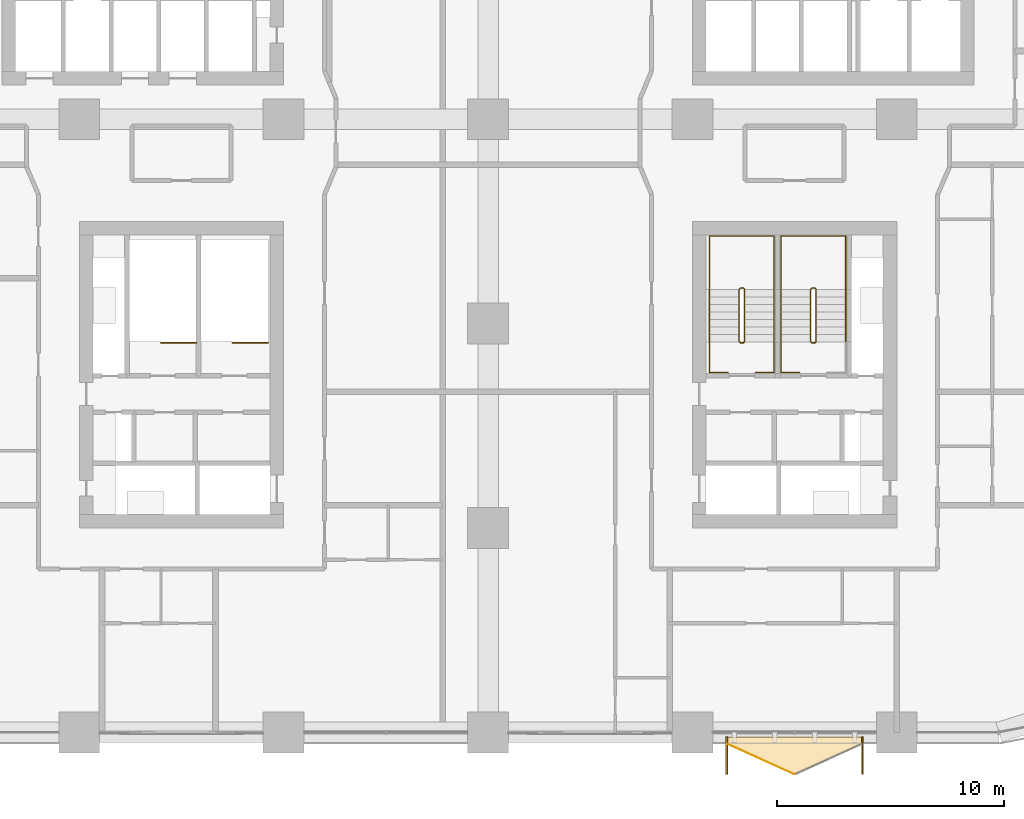
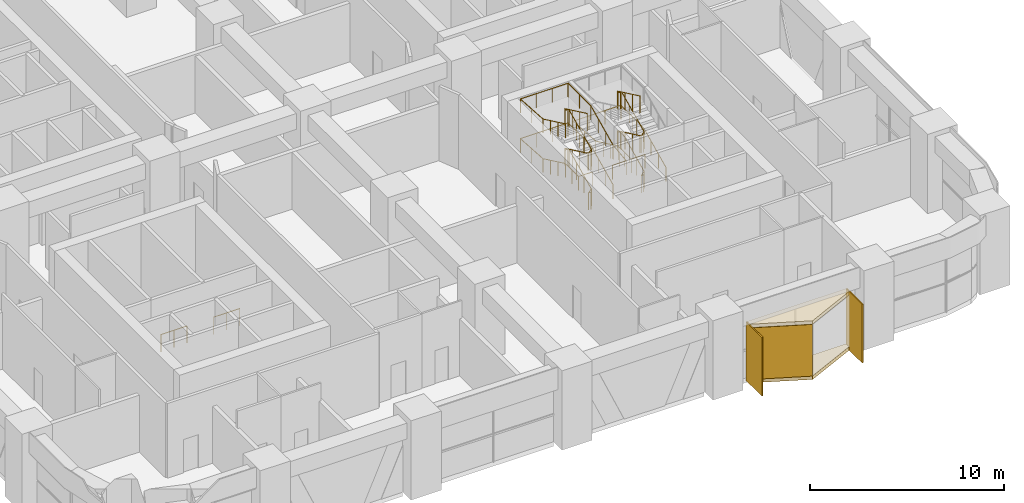
# One storey, part 23 of 26: 7 railings, 5 coverings.
"""IFC4 building model written with IfcOpenShell, lengths in metres."""

from ifc_helpers import new_model, si_unit, direction, frame, origin, origin_2d, place, context, subcontext, project, spatial, polyline, rectangle, circle, outline, extrude, material, layer, layer_set, type_object, element, save


model = new_model("IFC4")

# Units and contexts
model_context = context("Model", 3, precision=1e-05, world=origin(), true_north=direction((0.0, 1.0)))
body_context = subcontext(model_context, "Body", "Model", "MODEL_VIEW")
ifc_project = project(units=[si_unit("LENGTHUNIT", "METRE"), si_unit("AREAUNIT", "SQUARE_METRE"), si_unit("VOLUMEUNIT", "CUBIC_METRE"), si_unit("PLANEANGLEUNIT", "RADIAN"), si_unit("MASSUNIT", "GRAM", prefix="KILO")], contexts=[model_context])

# Site, building, storey
site_placement = place(None, origin())
site = spatial("IfcSite", under=ifc_project, at=site_placement, CompositionType="ELEMENT")
building_placement = place(site_placement, origin())
building = spatial("IfcBuilding", under=site, at=building_placement, Name="Tessera Arch", CompositionType="ELEMENT")
storey_placement = place(building_placement, frame((0.0, 0.0, 72.800048828125)))
storey = spatial("IfcBuildingStorey", under=building, at=storey_placement, Name="L16", CompositionType="ELEMENT", Elevation=72.800048828125)

# Railings
ifc_material_1 = material(Name="Painted steel balustrade", Category="steel")
railing_type_1 = type_object("IfcRailingType", Name="Stair guard 1100", PredefinedType="GUARDRAIL", material=ifc_material_1)
railing_1_placement = place(storey_placement, frame((38.25, 17.14990234375, 0.0)))
element("IfcRailing", 1, at=railing_1_placement, inside=storey, type_object=railing_type_1, Name="L16 S3a stair guard 1", PredefinedType="GUARDRAIL", context=body_context, shape_type="SweptSolid", body=[
    extrude(circle(Radius=0.02392578125, at=origin_2d()), frame((0.00390625, 0.0, 1.076171875), z_axis=(-1.0, 0.0, 0.0), x_axis=(0.0, -1.0, 0.0)), (0.0, 0.0, 1.0), 0.157958984375),
    extrude(circle(Radius=0.02392578125, at=origin_2d()), frame((-0.153076171875, -0.000732421875, 1.07373046875), z_axis=(0.77305925043, 0.19350078918, 0.604100024756), x_axis=(-0.242814311512, 0.970072785993, 0.0)), (0.0, 0.0, 1.0), 0.2666015625),
    extrude(circle(Radius=0.02392578125, at=origin_2d()), frame((0.050048828125, 0.04638671875, 1.23046875), z_axis=(0.0, 0.903811734687, 0.427930307694), x_axis=(-1.0, 0.0, 0.0)), (0.0, 0.0, 1.0), 2.56396484375),
    extrude(circle(Radius=0.02392578125, at=origin_2d()), frame((0.052978515625, 2.357177734375, 2.326171875), z_axis=(-0.707106781187, 0.707106781187, 0.0), x_axis=(-0.707106781187, -0.707106781187, 0.0)), (0.0, 0.0, 1.0), 0.078857421875),
    extrude(circle(Radius=0.02392578125, at=origin_2d()), frame((0.00390625, 2.41015625, 2.326171875), z_axis=(-1.0, 0.0, 0.0), x_axis=(0.0, -1.0, 0.0)), (0.0, 0.0, 1.0), 0.157958984375),
    extrude(circle(Radius=0.02392578125, at=origin_2d()), frame((-0.148681640625, 2.411376953125, 2.322509765625), z_axis=(-0.29177245553, -0.29177245553, 0.91089937336), x_axis=(0.707106781187, -0.707106781187, 0.0)), (0.0, 0.0, 1.0), 0.179443359375),
    extrude(circle(Radius=0.02392578125, at=origin_2d()), frame((-0.199951171875, 2.36376953125, 2.48046875), z_axis=(0.0, -0.903811734687, 0.427930307694), x_axis=(1.0, 0.0, 0.0)), (0.0, 0.0, 1.0), 2.56396484375),
    extrude(circle(Radius=0.02392578125, at=origin_2d()), frame((-0.203857421875, 0.051025390625, 3.576171875), z_axis=(0.970072785993, -0.242814311512, 0.0), x_axis=(0.242814311512, 0.970072785993, 0.0)), (0.0, 0.0, 1.0), 0.214111328125),
    extrude(circle(Radius=0.02392578125, at=origin_2d()), frame((0.00390625, 0.0, 3.576171875), z_axis=(-1.0, 0.0, 0.0), x_axis=(0.0, -1.0, 0.0)), (0.0, 0.0, 1.0), 0.157958984375),
    extrude(circle(Radius=0.02392578125, at=origin_2d()), frame((-0.153076171875, -0.000732421875, 3.57373046875), z_axis=(0.77305925043, 0.19350078918, 0.604100024756), x_axis=(-0.242814311512, 0.970072785993, 0.0)), (0.0, 0.0, 1.0), 0.2666015625),
    extrude(circle(Radius=0.02392578125, at=origin_2d()), frame((0.050048828125, 0.04638671875, 3.73046875), z_axis=(0.0, 0.903811734687, 0.427930307694), x_axis=(-1.0, 0.0, 0.0)), (0.0, 0.0, 1.0), 2.56396484375),
    extrude(circle(Radius=0.02392578125, at=origin_2d()), frame((0.052978515625, 2.357177734375, 4.826171875), z_axis=(-0.707106781187, 0.707106781187, 0.0), x_axis=(-0.707106781187, -0.707106781187, 0.0)), (0.0, 0.0, 1.0), 0.078857421875),
    extrude(circle(Radius=0.02392578125, at=origin_2d()), frame((0.00390625, 2.41015625, 4.826171875), z_axis=(-1.0, 0.0, 0.0), x_axis=(0.0, -1.0, 0.0)), (0.0, 0.0, 1.0), 0.157958984375),
    extrude(circle(Radius=0.02392578125, at=origin_2d()), frame((-0.148681640625, 2.411376953125, 4.822509765625), z_axis=(-0.29177245553, -0.29177245553, 0.91089937336), x_axis=(0.707106781187, -0.707106781187, 0.0)), (0.0, 0.0, 1.0), 0.179443359375),
    extrude(circle(Radius=0.02392578125, at=origin_2d()), frame((-0.199951171875, 2.36376953125, 4.98046875), z_axis=(0.0, -0.903811734687, 0.427930307694), x_axis=(1.0, 0.0, 0.0)), (0.0, 0.0, 1.0), 2.56396484375),
    extrude(circle(Radius=0.02099609375, at=origin_2d()), origin(), (0.0, 0.0, 1.0), 1.06396484375),
    extrude(circle(Radius=0.02099609375, at=origin_2d()), frame((-0.14990234375, 0.0, 0.0)), (0.0, 0.0, 1.0), 1.06396484375),
    extrude(circle(Radius=0.02099609375, at=origin_2d()), frame((0.050048828125, 0.050048828125, 0.15625)), (0.0, 0.0, 1.0), 1.06396484375),
    extrude(circle(Radius=0.02099609375, at=origin_2d()), frame((0.050048828125, 0.820068359375, 0.520751953125)), (0.0, 0.0, 1.0), 1.06396484375),
    extrude(circle(Radius=0.02099609375, at=origin_2d()), frame((0.050048828125, 1.590087890625, 0.885498046875)), (0.0, 0.0, 1.0), 1.06396484375),
    extrude(circle(Radius=0.02099609375, at=origin_2d()), frame((0.050048828125, 2.360107421875, 1.25)), (0.0, 0.0, 1.0), 1.06396484375),
    extrude(circle(Radius=0.02099609375, at=origin_2d()), frame((0.0, 2.41015625, 1.25)), (0.0, 0.0, 1.0), 1.06396484375),
    extrude(circle(Radius=0.02099609375, at=origin_2d()), frame((-0.14990234375, 2.41015625, 1.25)), (0.0, 0.0, 1.0), 1.06396484375),
    extrude(circle(Radius=0.02099609375, at=origin_2d()), frame((-0.199951171875, 2.360107421875, 1.40625)), (0.0, 0.0, 1.0), 1.06396484375),
    extrude(circle(Radius=0.02099609375, at=origin_2d()), frame((-0.199951171875, 1.590087890625, 1.770751953125)), (0.0, 0.0, 1.0), 1.06396484375),
    extrude(circle(Radius=0.02099609375, at=origin_2d()), frame((-0.199951171875, 0.820068359375, 2.135498046875)), (0.0, 0.0, 1.0), 1.06396484375),
    extrude(circle(Radius=0.02099609375, at=origin_2d()), frame((-0.199951171875, 0.050048828125, 2.5)), (0.0, 0.0, 1.0), 1.06396484375),
    extrude(circle(Radius=0.02099609375, at=origin_2d()), frame((0.0, 0.0, 2.5)), (0.0, 0.0, 1.0), 1.06396484375),
    extrude(circle(Radius=0.02099609375, at=origin_2d()), frame((-0.14990234375, 0.0, 2.5)), (0.0, 0.0, 1.0), 1.06396484375),
    extrude(circle(Radius=0.02099609375, at=origin_2d()), frame((0.050048828125, 0.050048828125, 2.65625)), (0.0, 0.0, 1.0), 1.06396484375),
    extrude(circle(Radius=0.02099609375, at=origin_2d()), frame((0.050048828125, 0.820068359375, 3.020751953125)), (0.0, 0.0, 1.0), 1.06396484375),
    extrude(circle(Radius=0.02099609375, at=origin_2d()), frame((0.050048828125, 1.590087890625, 3.385498046875)), (0.0, 0.0, 1.0), 1.06396484375),
    extrude(circle(Radius=0.02099609375, at=origin_2d()), frame((0.050048828125, 2.360107421875, 3.75)), (0.0, 0.0, 1.0), 1.06396484375),
    extrude(circle(Radius=0.02099609375, at=origin_2d()), frame((0.0, 2.41015625, 3.75)), (0.0, 0.0, 1.0), 1.06396484375),
    extrude(circle(Radius=0.02099609375, at=origin_2d()), frame((-0.14990234375, 2.41015625, 3.75)), (0.0, 0.0, 1.0), 1.06396484375),
    extrude(circle(Radius=0.02099609375, at=origin_2d()), frame((-0.199951171875, 2.360107421875, 3.90625)), (0.0, 0.0, 1.0), 1.06396484375),
    extrude(circle(Radius=0.02099609375, at=origin_2d()), frame((-0.199951171875, 1.590087890625, 4.270751953125)), (0.0, 0.0, 1.0), 1.06396484375),
    extrude(circle(Radius=0.02099609375, at=origin_2d()), frame((-0.199951171875, 0.820068359375, 4.635498046875)), (0.0, 0.0, 1.0), 1.06396484375),
    extrude(circle(Radius=0.02099609375, at=origin_2d()), frame((-0.199951171875, 0.050048828125, 5.0)), (0.0, 0.0, 1.0), 1.06396484375),
])
railing_2_placement = place(storey_placement, frame((41.39990234375, 17.14990234375, 0.0)))
element("IfcRailing", 2, at=railing_2_placement, inside=storey, type_object=railing_type_1, Name="L16 S3b stair guard 1", PredefinedType="GUARDRAIL", context=body_context, shape_type="SweptSolid", body=[
    extrude(circle(Radius=0.02392578125, at=origin_2d()), frame((0.00390625, 0.0, 1.076171875), z_axis=(-1.0, 0.0, 0.0), x_axis=(0.0, -1.0, 0.0)), (0.0, 0.0, 1.0), 0.157958984375),
    extrude(circle(Radius=0.02392578125, at=origin_2d()), frame((-0.153076171875, -0.000732421875, 1.07373046875), z_axis=(0.77305925043, 0.19350078918, 0.604100024756), x_axis=(-0.242814311512, 0.970072785993, 0.0)), (0.0, 0.0, 1.0), 0.2666015625),
    extrude(circle(Radius=0.02392578125, at=origin_2d()), frame((0.050048828125, 0.04638671875, 1.23046875), z_axis=(0.0, 0.903811734687, 0.427930307694), x_axis=(-1.0, 0.0, 0.0)), (0.0, 0.0, 1.0), 2.56396484375),
    extrude(circle(Radius=0.02392578125, at=origin_2d()), frame((0.052978515625, 2.357177734375, 2.326171875), z_axis=(-0.707106781187, 0.707106781187, 0.0), x_axis=(-0.707106781187, -0.707106781187, 0.0)), (0.0, 0.0, 1.0), 0.078857421875),
    extrude(circle(Radius=0.02392578125, at=origin_2d()), frame((0.00390625, 2.41015625, 2.326171875), z_axis=(-1.0, 0.0, 0.0), x_axis=(0.0, -1.0, 0.0)), (0.0, 0.0, 1.0), 0.157958984375),
    extrude(circle(Radius=0.02392578125, at=origin_2d()), frame((-0.148681640625, 2.411376953125, 2.322509765625), z_axis=(-0.29177245553, -0.29177245553, 0.91089937336), x_axis=(0.707106781187, -0.707106781187, 0.0)), (0.0, 0.0, 1.0), 0.179443359375),
    extrude(circle(Radius=0.02392578125, at=origin_2d()), frame((-0.199951171875, 2.36376953125, 2.48046875), z_axis=(0.0, -0.903811734687, 0.427930307694), x_axis=(1.0, 0.0, 0.0)), (0.0, 0.0, 1.0), 2.56396484375),
    extrude(circle(Radius=0.02392578125, at=origin_2d()), frame((-0.203857421875, 0.051025390625, 3.576171875), z_axis=(0.970072785993, -0.242814311512, 0.0), x_axis=(0.242814311512, 0.970072785993, 0.0)), (0.0, 0.0, 1.0), 0.214111328125),
    extrude(circle(Radius=0.02392578125, at=origin_2d()), frame((0.00390625, 0.0, 3.576171875), z_axis=(-1.0, 0.0, 0.0), x_axis=(0.0, -1.0, 0.0)), (0.0, 0.0, 1.0), 0.157958984375),
    extrude(circle(Radius=0.02392578125, at=origin_2d()), frame((-0.153076171875, -0.000732421875, 3.57373046875), z_axis=(0.77305925043, 0.19350078918, 0.604100024756), x_axis=(-0.242814311512, 0.970072785993, 0.0)), (0.0, 0.0, 1.0), 0.2666015625),
    extrude(circle(Radius=0.02392578125, at=origin_2d()), frame((0.050048828125, 0.04638671875, 3.73046875), z_axis=(0.0, 0.903811734687, 0.427930307694), x_axis=(-1.0, 0.0, 0.0)), (0.0, 0.0, 1.0), 2.56396484375),
    extrude(circle(Radius=0.02392578125, at=origin_2d()), frame((0.052978515625, 2.357177734375, 4.826171875), z_axis=(-0.707106781187, 0.707106781187, 0.0), x_axis=(-0.707106781187, -0.707106781187, 0.0)), (0.0, 0.0, 1.0), 0.078857421875),
    extrude(circle(Radius=0.02392578125, at=origin_2d()), frame((0.00390625, 2.41015625, 4.826171875), z_axis=(-1.0, 0.0, 0.0), x_axis=(0.0, -1.0, 0.0)), (0.0, 0.0, 1.0), 0.157958984375),
    extrude(circle(Radius=0.02392578125, at=origin_2d()), frame((-0.148681640625, 2.411376953125, 4.822509765625), z_axis=(-0.29177245553, -0.29177245553, 0.91089937336), x_axis=(0.707106781187, -0.707106781187, 0.0)), (0.0, 0.0, 1.0), 0.179443359375),
    extrude(circle(Radius=0.02392578125, at=origin_2d()), frame((-0.199951171875, 2.36376953125, 4.98046875), z_axis=(0.0, -0.903811734687, 0.427930307694), x_axis=(1.0, 0.0, 0.0)), (0.0, 0.0, 1.0), 2.56396484375),
    extrude(circle(Radius=0.02099609375, at=origin_2d()), origin(), (0.0, 0.0, 1.0), 1.06396484375),
    extrude(circle(Radius=0.02099609375, at=origin_2d()), frame((-0.14990234375, 0.0, 0.0)), (0.0, 0.0, 1.0), 1.06396484375),
    extrude(circle(Radius=0.02099609375, at=origin_2d()), frame((0.050048828125, 0.050048828125, 0.15625)), (0.0, 0.0, 1.0), 1.06396484375),
    extrude(circle(Radius=0.02099609375, at=origin_2d()), frame((0.050048828125, 0.820068359375, 0.520751953125)), (0.0, 0.0, 1.0), 1.06396484375),
    extrude(circle(Radius=0.02099609375, at=origin_2d()), frame((0.050048828125, 1.590087890625, 0.885498046875)), (0.0, 0.0, 1.0), 1.06396484375),
    extrude(circle(Radius=0.02099609375, at=origin_2d()), frame((0.050048828125, 2.360107421875, 1.25)), (0.0, 0.0, 1.0), 1.06396484375),
    extrude(circle(Radius=0.02099609375, at=origin_2d()), frame((0.0, 2.41015625, 1.25)), (0.0, 0.0, 1.0), 1.06396484375),
    extrude(circle(Radius=0.02099609375, at=origin_2d()), frame((-0.14990234375, 2.41015625, 1.25)), (0.0, 0.0, 1.0), 1.06396484375),
    extrude(circle(Radius=0.02099609375, at=origin_2d()), frame((-0.199951171875, 2.360107421875, 1.40625)), (0.0, 0.0, 1.0), 1.06396484375),
    extrude(circle(Radius=0.02099609375, at=origin_2d()), frame((-0.199951171875, 1.590087890625, 1.770751953125)), (0.0, 0.0, 1.0), 1.06396484375),
    extrude(circle(Radius=0.02099609375, at=origin_2d()), frame((-0.199951171875, 0.820068359375, 2.135498046875)), (0.0, 0.0, 1.0), 1.06396484375),
    extrude(circle(Radius=0.02099609375, at=origin_2d()), frame((-0.199951171875, 0.050048828125, 2.5)), (0.0, 0.0, 1.0), 1.06396484375),
    extrude(circle(Radius=0.02099609375, at=origin_2d()), frame((0.0, 0.0, 2.5)), (0.0, 0.0, 1.0), 1.06396484375),
    extrude(circle(Radius=0.02099609375, at=origin_2d()), frame((-0.14990234375, 0.0, 2.5)), (0.0, 0.0, 1.0), 1.06396484375),
    extrude(circle(Radius=0.02099609375, at=origin_2d()), frame((0.050048828125, 0.050048828125, 2.65625)), (0.0, 0.0, 1.0), 1.06396484375),
    extrude(circle(Radius=0.02099609375, at=origin_2d()), frame((0.050048828125, 0.820068359375, 3.020751953125)), (0.0, 0.0, 1.0), 1.06396484375),
    extrude(circle(Radius=0.02099609375, at=origin_2d()), frame((0.050048828125, 1.590087890625, 3.385498046875)), (0.0, 0.0, 1.0), 1.06396484375),
    extrude(circle(Radius=0.02099609375, at=origin_2d()), frame((0.050048828125, 2.360107421875, 3.75)), (0.0, 0.0, 1.0), 1.06396484375),
    extrude(circle(Radius=0.02099609375, at=origin_2d()), frame((0.0, 2.41015625, 3.75)), (0.0, 0.0, 1.0), 1.06396484375),
    extrude(circle(Radius=0.02099609375, at=origin_2d()), frame((-0.14990234375, 2.41015625, 3.75)), (0.0, 0.0, 1.0), 1.06396484375),
    extrude(circle(Radius=0.02099609375, at=origin_2d()), frame((-0.199951171875, 2.360107421875, 3.90625)), (0.0, 0.0, 1.0), 1.06396484375),
    extrude(circle(Radius=0.02099609375, at=origin_2d()), frame((-0.199951171875, 1.590087890625, 4.270751953125)), (0.0, 0.0, 1.0), 1.06396484375),
    extrude(circle(Radius=0.02099609375, at=origin_2d()), frame((-0.199951171875, 0.820068359375, 4.635498046875)), (0.0, 0.0, 1.0), 1.06396484375),
    extrude(circle(Radius=0.02099609375, at=origin_2d()), frame((-0.199951171875, 0.050048828125, 5.0)), (0.0, 0.0, 1.0), 1.06396484375),
])
railing_3_placement = place(storey_placement, frame((17.300048828125, 17.14990234375, 0.0)))
element("IfcRailing", 3, at=railing_3_placement, inside=storey, type_object=railing_type_1, Name="L16 S4a top well guard 1", PredefinedType="GUARDRAIL", context=body_context, shape_type="SweptSolid", body=[
    extrude(circle(Radius=0.02392578125, at=origin_2d()), frame((0.00390625, 0.0, 1.076171875), z_axis=(-1.0, 0.0, 0.0), x_axis=(0.0, -1.0, 0.0)), (0.0, 0.0, 1.0), 1.55810546875),
    extrude(circle(Radius=0.02099609375, at=origin_2d()), origin(), (0.0, 0.0, 1.0), 1.06396484375),
    extrude(circle(Radius=0.02099609375, at=origin_2d()), frame((-0.77490234375, 0.0, 0.0)), (0.0, 0.0, 1.0), 1.06396484375),
    extrude(circle(Radius=0.02099609375, at=origin_2d()), frame((-1.550048828125, 0.0, 0.0)), (0.0, 0.0, 1.0), 1.06396484375),
])
railing_4_placement = place(storey_placement, frame((14.14990234375, 17.14990234375, 0.0)))
element("IfcRailing", 4, at=railing_4_placement, inside=storey, type_object=railing_type_1, Name="L16 S4b top well guard 1", PredefinedType="GUARDRAIL", context=body_context, shape_type="SweptSolid", body=[
    extrude(circle(Radius=0.02392578125, at=origin_2d()), frame((0.00390625, 0.0, 1.076171875), z_axis=(-1.0, 0.0, 0.0), x_axis=(0.0, -1.0, 0.0)), (0.0, 0.0, 1.0), 1.557861328125),
    extrude(circle(Radius=0.02099609375, at=origin_2d()), origin(), (0.0, 0.0, 1.0), 1.06396484375),
    extrude(circle(Radius=0.02099609375, at=origin_2d()), frame((-0.77490234375, 0.0, 0.0)), (0.0, 0.0, 1.0), 1.06396484375),
    extrude(circle(Radius=0.02099609375, at=origin_2d()), frame((-1.5498046875, 0.0, 0.0)), (0.0, 0.0, 1.0), 1.06396484375),
])
ifc_material_2 = material(Name="Painted steel handrail", Category="steel")
railing_type_2 = type_object("IfcRailingType", Name="Stair handrail 900", PredefinedType="HANDRAIL", material=ifc_material_2)
railing_5_placement = place(storey_placement, frame((39.60009765625, 17.199951171875, 0.15625)))
element("IfcRailing", 5, at=railing_5_placement, inside=storey, type_object=railing_type_2, Name="L16 S3a stair handrail", PredefinedType="HANDRAIL", context=body_context, shape_type="SweptSolid", body=[
    extrude(circle(Radius=0.02392578125, at=origin_2d()), frame((0.0, -0.003662109375, 0.8740234375), z_axis=(0.0, 0.903811734687, 0.427930307694), x_axis=(-1.0, 0.0, 0.0)), (0.0, 0.0, 1.0), 2.56396484375),
    extrude(circle(Radius=0.02392578125, at=origin_2d()), frame((0.0, 2.30615234375, 1.9697265625), z_axis=(0.0, 1.0, 0.0), x_axis=(-1.0, 0.0, 0.0)), (0.0, 0.0, 1.0), 2.34814453125),
    extrude(circle(Radius=0.02392578125, at=origin_2d()), frame((0.00390625, 4.650146484375, 1.9697265625), z_axis=(-1.0, 0.0, 0.0), x_axis=(0.0, -1.0, 0.0)), (0.0, 0.0, 1.0), 2.858154296875),
    extrude(circle(Radius=0.02392578125, at=origin_2d()), frame((-2.85009765625, 4.654052734375, 1.96923828125), z_axis=(0.0, -0.997778243323, 0.066622647441), x_axis=(1.0, 0.0, 0.0)), (0.0, 0.0, 1.0), 2.353271484375),
    extrude(circle(Radius=0.02392578125, at=origin_2d()), frame((-2.85009765625, 2.313720703125, 2.1240234375), z_axis=(0.0, -0.903811734687, 0.427930307694), x_axis=(1.0, 0.0, 0.0)), (0.0, 0.0, 1.0), 2.56396484375),
    extrude(circle(Radius=0.02392578125, at=origin_2d()), frame((-2.85009765625, 0.00390625, 3.2197265625), z_axis=(0.0, -1.0, 0.0), x_axis=(1.0, 0.0, 0.0)), (0.0, 0.0, 1.0), 1.35791015625),
    extrude(circle(Radius=0.02392578125, at=origin_2d()), frame((-2.85400390625, -1.349853515625, 3.2197265625), z_axis=(1.0, 0.0, 0.0), x_axis=(0.0, 1.0, 0.0)), (0.0, 0.0, 1.0), 0.8330078125),
    extrude(circle(Radius=0.02099609375, at=origin_2d()), origin(), (0.0, 0.0, 1.0), 0.86376953125),
    extrude(circle(Radius=0.02099609375, at=origin_2d()), frame((0.0, 0.77001953125, 0.364501953125)), (0.0, 0.0, 1.0), 0.86376953125),
    extrude(circle(Radius=0.02099609375, at=origin_2d()), frame((0.0, 1.5400390625, 0.729248046875)), (0.0, 0.0, 1.0), 0.86376953125),
    extrude(circle(Radius=0.02099609375, at=origin_2d()), frame((0.0, 2.31005859375, 1.09375)), (0.0, 0.0, 1.0), 0.86376953125),
    extrude(circle(Radius=0.02099609375, at=origin_2d()), frame((0.0, 3.47998046875, 1.09375)), (0.0, 0.0, 1.0), 0.86376953125),
    extrude(circle(Radius=0.02099609375, at=origin_2d()), frame((0.0, 4.650146484375, 1.09375)), (0.0, 0.0, 1.0), 0.86376953125),
    extrude(circle(Radius=0.02099609375, at=origin_2d()), frame((-0.949951171875, 4.650146484375, 1.09375)), (0.0, 0.0, 1.0), 0.86376953125),
    extrude(circle(Radius=0.02099609375, at=origin_2d()), frame((-1.900146484375, 4.650146484375, 1.09375)), (0.0, 0.0, 1.0), 0.86376953125),
    extrude(circle(Radius=0.02099609375, at=origin_2d()), frame((-2.85009765625, 4.650146484375, 1.09375)), (0.0, 0.0, 1.0), 0.86376953125),
    extrude(circle(Radius=0.02099609375, at=origin_2d()), frame((-2.85009765625, 3.47998046875, 1.171875)), (0.0, 0.0, 1.0), 0.86376953125),
    extrude(circle(Radius=0.02099609375, at=origin_2d()), frame((-2.85009765625, 2.31005859375, 1.25)), (0.0, 0.0, 1.0), 0.86376953125),
    extrude(circle(Radius=0.02099609375, at=origin_2d()), frame((-2.85009765625, 1.5400390625, 1.614501953125)), (0.0, 0.0, 1.0), 0.86376953125),
    extrude(circle(Radius=0.02099609375, at=origin_2d()), frame((-2.85009765625, 0.77001953125, 1.979248046875)), (0.0, 0.0, 1.0), 0.86376953125),
    extrude(circle(Radius=0.02099609375, at=origin_2d()), frame((-2.85009765625, 0.0, 2.34375)), (0.0, 0.0, 1.0), 0.86376953125),
    extrude(circle(Radius=0.02099609375, at=origin_2d()), frame((-2.85009765625, -0.6748046875, 2.34375)), (0.0, 0.0, 1.0), 0.86376953125),
    extrude(circle(Radius=0.02099609375, at=origin_2d()), frame((-2.85009765625, -1.349853515625, 2.34375)), (0.0, 0.0, 1.0), 0.86376953125),
    extrude(circle(Radius=0.02099609375, at=origin_2d()), frame((-2.025146484375, -1.349853515625, 2.34375)), (0.0, 0.0, 1.0), 0.86376953125),
])
railing_6_placement = place(storey_placement, frame((38.77490234375, 15.85009765625, 2.5)))
element("IfcRailing", 6, at=railing_6_placement, inside=storey, type_object=railing_type_2, Name="L16 S3a stair handrail 2", PredefinedType="HANDRAIL", context=body_context, shape_type="SweptSolid", body=[
    extrude(circle(Radius=0.02392578125, at=origin_2d()), frame((-0.00390625, 0.0, 0.8759765625), z_axis=(1.0, 0.0, 0.0), x_axis=(0.0, 1.0, 0.0)), (0.0, 0.0, 1.0), 0.833251953125),
    extrude(circle(Radius=0.02392578125, at=origin_2d()), frame((0.8251953125, -0.00390625, 0.87548828125), z_axis=(0.0, 0.993367166886, 0.114985528451), x_axis=(-1.0, 0.0, 0.0)), (0.0, 0.0, 1.0), 1.366943359375),
    extrude(circle(Radius=0.02392578125, at=origin_2d()), frame((0.8251953125, 1.34619140625, 1.0302734375), z_axis=(0.0, 0.903811734687, 0.427930307694), x_axis=(-1.0, 0.0, 0.0)), (0.0, 0.0, 1.0), 2.56396484375),
    extrude(circle(Radius=0.02392578125, at=origin_2d()), frame((0.8251953125, 3.656005859375, 2.1259765625), z_axis=(0.0, 1.0, 0.0), x_axis=(-1.0, 0.0, 0.0)), (0.0, 0.0, 1.0), 2.34814453125),
    extrude(circle(Radius=0.02392578125, at=origin_2d()), frame((0.8291015625, 6.0, 2.1259765625), z_axis=(-1.0, 0.0, 0.0), x_axis=(0.0, -1.0, 0.0)), (0.0, 0.0, 1.0), 2.858154296875),
    extrude(circle(Radius=0.02392578125, at=origin_2d()), frame((-2.02490234375, 6.00390625, 2.12548828125), z_axis=(0.0, -0.997778243323, 0.066622647441), x_axis=(1.0, 0.0, 0.0)), (0.0, 0.0, 1.0), 2.353271484375),
    extrude(circle(Radius=0.02392578125, at=origin_2d()), frame((-2.02490234375, 3.66357421875, 2.2802734375), z_axis=(0.0, -0.903811734687, 0.427930307694), x_axis=(1.0, 0.0, 0.0)), (0.0, 0.0, 1.0), 2.56396484375),
    extrude(circle(Radius=0.02099609375, at=origin_2d()), origin(), (0.0, 0.0, 1.0), 0.86376953125),
    extrude(circle(Radius=0.02099609375, at=origin_2d()), frame((0.8251953125, 0.0, 0.0)), (0.0, 0.0, 1.0), 0.86376953125),
    extrude(circle(Radius=0.02099609375, at=origin_2d()), frame((0.8251953125, 0.6748046875, 0.078125)), (0.0, 0.0, 1.0), 0.86376953125),
    extrude(circle(Radius=0.02099609375, at=origin_2d()), frame((0.8251953125, 1.349853515625, 0.15625)), (0.0, 0.0, 1.0), 0.86376953125),
    extrude(circle(Radius=0.02099609375, at=origin_2d()), frame((0.8251953125, 2.119873046875, 0.520751953125)), (0.0, 0.0, 1.0), 0.86376953125),
    extrude(circle(Radius=0.02099609375, at=origin_2d()), frame((0.8251953125, 2.889892578125, 0.885498046875)), (0.0, 0.0, 1.0), 0.86376953125),
    extrude(circle(Radius=0.02099609375, at=origin_2d()), frame((0.8251953125, 3.659912109375, 1.25)), (0.0, 0.0, 1.0), 0.86376953125),
    extrude(circle(Radius=0.02099609375, at=origin_2d()), frame((0.8251953125, 4.830078125, 1.25)), (0.0, 0.0, 1.0), 0.86376953125),
    extrude(circle(Radius=0.02099609375, at=origin_2d()), frame((0.8251953125, 6.0, 1.25)), (0.0, 0.0, 1.0), 0.86376953125),
    extrude(circle(Radius=0.02099609375, at=origin_2d()), frame((-0.124755859375, 6.0, 1.25)), (0.0, 0.0, 1.0), 0.86376953125),
    extrude(circle(Radius=0.02099609375, at=origin_2d()), frame((-1.074951171875, 6.0, 1.25)), (0.0, 0.0, 1.0), 0.86376953125),
    extrude(circle(Radius=0.02099609375, at=origin_2d()), frame((-2.02490234375, 6.0, 1.25)), (0.0, 0.0, 1.0), 0.86376953125),
    extrude(circle(Radius=0.02099609375, at=origin_2d()), frame((-2.02490234375, 4.830078125, 1.328125)), (0.0, 0.0, 1.0), 0.86376953125),
    extrude(circle(Radius=0.02099609375, at=origin_2d()), frame((-2.02490234375, 3.659912109375, 1.40625)), (0.0, 0.0, 1.0), 0.86376953125),
    extrude(circle(Radius=0.02099609375, at=origin_2d()), frame((-2.02490234375, 2.889892578125, 1.770751953125)), (0.0, 0.0, 1.0), 0.86376953125),
    extrude(circle(Radius=0.02099609375, at=origin_2d()), frame((-2.02490234375, 2.119873046875, 2.135498046875)), (0.0, 0.0, 1.0), 0.86376953125),
    extrude(circle(Radius=0.02099609375, at=origin_2d()), frame((-2.02490234375, 1.349853515625, 2.5)), (0.0, 0.0, 1.0), 0.86376953125),
])
railing_7_placement = place(storey_placement, frame((42.75, 17.199951171875, 0.15625)))
element("IfcRailing", 7, at=railing_7_placement, inside=storey, type_object=railing_type_2, Name="L16 S3b stair handrail", PredefinedType="HANDRAIL", context=body_context, shape_type="SweptSolid", body=[
    extrude(circle(Radius=0.02392578125, at=origin_2d()), frame((0.0, -0.003662109375, 0.8740234375), z_axis=(0.0, 0.903811734687, 0.427930307694), x_axis=(-1.0, 0.0, 0.0)), (0.0, 0.0, 1.0), 2.56396484375),
    extrude(circle(Radius=0.02392578125, at=origin_2d()), frame((0.0, 2.30615234375, 1.9697265625), z_axis=(0.0, 1.0, 0.0), x_axis=(-1.0, 0.0, 0.0)), (0.0, 0.0, 1.0), 2.34814453125),
    extrude(circle(Radius=0.02392578125, at=origin_2d()), frame((0.00390625, 4.650146484375, 1.9697265625), z_axis=(-1.0, 0.0, 0.0), x_axis=(0.0, -1.0, 0.0)), (0.0, 0.0, 1.0), 2.858154296875),
    extrude(circle(Radius=0.02392578125, at=origin_2d()), frame((-2.85009765625, 4.654052734375, 1.96923828125), z_axis=(0.0, -0.997778243323, 0.066622647441), x_axis=(1.0, 0.0, 0.0)), (0.0, 0.0, 1.0), 2.353271484375),
    extrude(circle(Radius=0.02392578125, at=origin_2d()), frame((-2.85009765625, 2.313720703125, 2.1240234375), z_axis=(0.0, -0.903811734687, 0.427930307694), x_axis=(1.0, 0.0, 0.0)), (0.0, 0.0, 1.0), 2.56396484375),
    extrude(circle(Radius=0.02392578125, at=origin_2d()), frame((-2.85009765625, 0.00390625, 3.2197265625), z_axis=(0.0, -1.0, 0.0), x_axis=(1.0, 0.0, 0.0)), (0.0, 0.0, 1.0), 1.35791015625),
    extrude(circle(Radius=0.02392578125, at=origin_2d()), frame((-2.85400390625, -1.349853515625, 3.2197265625), z_axis=(1.0, 0.0, 0.0), x_axis=(0.0, 1.0, 0.0)), (0.0, 0.0, 1.0), 0.833251953125),
    extrude(circle(Radius=0.02099609375, at=origin_2d()), origin(), (0.0, 0.0, 1.0), 0.86376953125),
    extrude(circle(Radius=0.02099609375, at=origin_2d()), frame((0.0, 0.77001953125, 0.364501953125)), (0.0, 0.0, 1.0), 0.86376953125),
    extrude(circle(Radius=0.02099609375, at=origin_2d()), frame((0.0, 1.5400390625, 0.729248046875)), (0.0, 0.0, 1.0), 0.86376953125),
    extrude(circle(Radius=0.02099609375, at=origin_2d()), frame((0.0, 2.31005859375, 1.09375)), (0.0, 0.0, 1.0), 0.86376953125),
    extrude(circle(Radius=0.02099609375, at=origin_2d()), frame((0.0, 3.47998046875, 1.09375)), (0.0, 0.0, 1.0), 0.86376953125),
    extrude(circle(Radius=0.02099609375, at=origin_2d()), frame((0.0, 4.650146484375, 1.09375)), (0.0, 0.0, 1.0), 0.86376953125),
    extrude(circle(Radius=0.02099609375, at=origin_2d()), frame((-0.949951171875, 4.650146484375, 1.09375)), (0.0, 0.0, 1.0), 0.86376953125),
    extrude(circle(Radius=0.02099609375, at=origin_2d()), frame((-1.900146484375, 4.650146484375, 1.09375)), (0.0, 0.0, 1.0), 0.86376953125),
    extrude(circle(Radius=0.02099609375, at=origin_2d()), frame((-2.85009765625, 4.650146484375, 1.09375)), (0.0, 0.0, 1.0), 0.86376953125),
    extrude(circle(Radius=0.02099609375, at=origin_2d()), frame((-2.85009765625, 3.47998046875, 1.171875)), (0.0, 0.0, 1.0), 0.86376953125),
    extrude(circle(Radius=0.02099609375, at=origin_2d()), frame((-2.85009765625, 2.31005859375, 1.25)), (0.0, 0.0, 1.0), 0.86376953125),
    extrude(circle(Radius=0.02099609375, at=origin_2d()), frame((-2.85009765625, 1.5400390625, 1.614501953125)), (0.0, 0.0, 1.0), 0.86376953125),
    extrude(circle(Radius=0.02099609375, at=origin_2d()), frame((-2.85009765625, 0.77001953125, 1.979248046875)), (0.0, 0.0, 1.0), 0.86376953125),
    extrude(circle(Radius=0.02099609375, at=origin_2d()), frame((-2.85009765625, 0.0, 2.34375)), (0.0, 0.0, 1.0), 0.86376953125),
    extrude(circle(Radius=0.02099609375, at=origin_2d()), frame((-2.85009765625, -0.6748046875, 2.34375)), (0.0, 0.0, 1.0), 0.86376953125),
    extrude(circle(Radius=0.02099609375, at=origin_2d()), frame((-2.85009765625, -1.349853515625, 2.34375)), (0.0, 0.0, 1.0), 0.86376953125),
    extrude(circle(Radius=0.02099609375, at=origin_2d()), frame((-2.02490234375, -1.349853515625, 2.34375)), (0.0, 0.0, 1.0), 0.86376953125),
])

# Coverings
ifc_material_3 = material(Name="Anodised aluminium pale metal", Category="aluminium")
ifc_layer_1 = layer(ifc_material_3, 0.080078125)
ifc_layer_set_1 = layer_set([ifc_layer_1], Name="Window box cheek")
covering_type_1 = type_object("IfcCoveringType", Name="Window box cheek", PredefinedType="CLADDING", material=ifc_layer_set_1)
covering_1_placement = place(storey_placement, origin())
element("IfcCovering", 8, at=covering_1_placement, inside=storey, type_object=covering_type_1, Name="Window box S0.0/3.0 2x1 cheek", PredefinedType="CLADDING", context=body_context, shape_type="SweptSolid", body=[
    extrude(outline(polyline([(37.469970703125, -1.85009765625), (37.550048828125, -1.85009765625), (37.550048828125, -0.199951171875), (37.469970703125, -0.199951171875), (37.469970703125, -1.85009765625)])), origin(), (0.0, 0.0, 1.0), 3.699951171875),
])
covering_2_placement = place(storey_placement, origin())
element("IfcCovering", 9, at=covering_2_placement, inside=storey, type_object=covering_type_1, Name="Window box S0.0/3.0 2x1 cheek", PredefinedType="CLADDING", context=body_context, shape_type="SweptSolid", body=[
    extrude(outline(polyline([(43.449951171875, -1.85009765625), (43.530029296875, -1.85009765625), (43.530029296875, -0.199951171875), (43.449951171875, -0.199951171875), (43.449951171875, -1.85009765625)])), origin(), (0.0, 0.0, 1.0), 3.699951171875),
])
ifc_material_4 = material(Name="Anodised aluminium cobalt blue", Category="aluminium")
ifc_layer_2 = layer(ifc_material_4, 0.219970703125)
ifc_layer_set_2 = layer_set([ifc_layer_2], Name="Window box frame plate cobalt")
covering_type_2 = type_object("IfcCoveringType", Name="Window box frame plate cobalt", PredefinedType="CLADDING", material=ifc_layer_set_2)
for number, where, name in (
    (10, (0.0, 0.0, 0.0), "Window box S0.0/3.0 2x1 floor"),
    (11, (0.0, 0.0, 3.47998046875), "Window box S0.0/3.0 2x1 roof"),
):
    element("IfcCovering", number, at=place(storey_placement, frame(where)), inside=storey, type_object=covering_type_2, Name=name, PredefinedType="CLADDING", context=body_context, shape_type="SweptSolid", body=[
        extrude(outline(polyline([(37.550048828125, -0.510009765625), (40.5, -1.85009765625), (43.449951171875, -0.510009765625), (43.449951171875, -0.199951171875), (37.550048828125, -0.199951171875), (37.550048828125, -0.510009765625)])), origin(), (0.0, 0.0, 1.0), 0.219970703125),
    ])
ifc_material_5 = material(Name="Anodised aluminium pale metal", Category="aluminium")
ifc_layer_3 = layer(ifc_material_5, 0.028076171875)
ifc_layer_set_3 = layer_set([ifc_layer_3], Name="Window box side panel")
covering_type_3 = type_object("IfcCoveringType", Name="Window box side panel", PredefinedType="CLADDING", material=ifc_layer_set_3)
covering_3_placement = place(storey_placement, frame((39.02490234375, -1.179931640625, 0.2197265625), z_axis=(0.0, 0.0, 1.0), x_axis=(0.910472144558, -0.413570397858, 0.0)))
element("IfcCovering", 12, at=covering_3_placement, inside=storey, type_object=covering_type_3, Name="Window box S0.0/3.0 2x1 side panel", PredefinedType="CLADDING", context=body_context, shape_type="SweptSolid", body=[
    extrude(rectangle(XDim=3.239990234375, YDim=0.028076171875, at=origin_2d()), origin(), (0.0, 0.0, 1.0), 3.260009765625),
])

save(model, "model.ifc")
